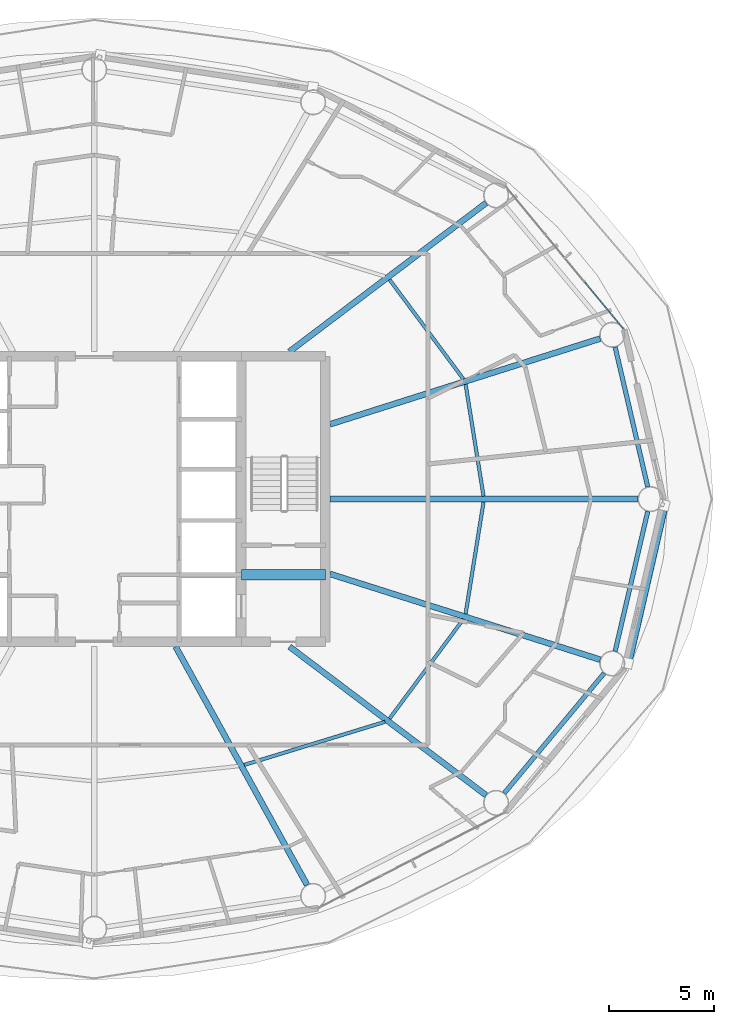
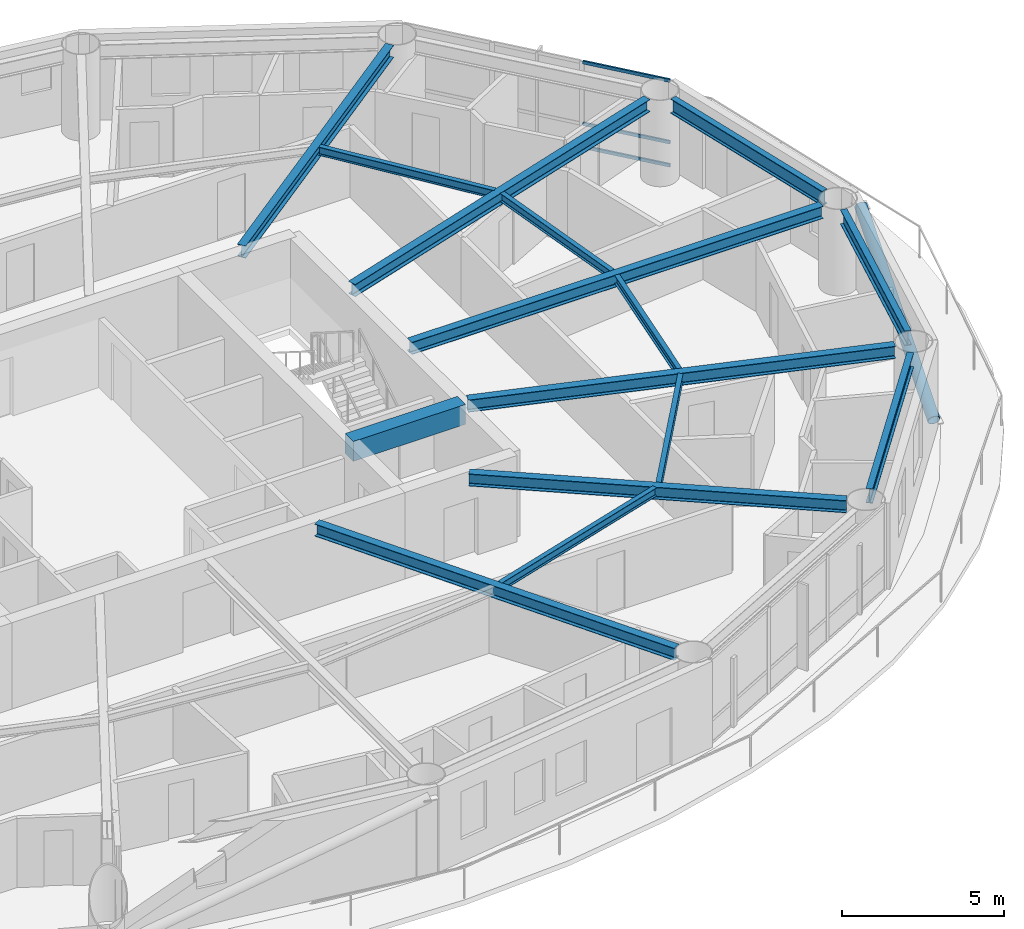
# One storey, part 6 of 28: 15 beams, 4 members, 1 element without a shape of its own.
"""IFC4 building model written with IfcOpenShell, lengths in metres."""

from ifc_helpers import new_model, si_unit, direction, frame, origin, origin_2d, place, context, subcontext, project, spatial, rectangle, hollow_rectangle, hollow_circle, i_section, extrude, material, layer, layer_set, material_profile, profile_set, type_object, element, aggregate, save


model = new_model("IFC4")

# Units and contexts
model_context = context("Model", 3, precision=1e-05, world=origin(), true_north=direction((0.0, 1.0)))
body_context = subcontext(model_context, "Body", "Model", "MODEL_VIEW")
ifc_project = project(units=[si_unit("LENGTHUNIT", "METRE"), si_unit("AREAUNIT", "SQUARE_METRE"), si_unit("VOLUMEUNIT", "CUBIC_METRE"), si_unit("PLANEANGLEUNIT", "RADIAN"), si_unit("MASSUNIT", "GRAM", prefix="KILO")], contexts=[model_context])

# Site, building, storey
site_placement = place(None, origin())
site = spatial("IfcSite", under=ifc_project, at=site_placement, CompositionType="ELEMENT")
building_placement = place(site_placement, origin())
building = spatial("IfcBuilding", under=site, at=building_placement, Name="Sarneth Arch Tower", CompositionType="ELEMENT")
storey_placement = place(building_placement, frame((0.0, 0.0, 197.39990234375)))
storey = spatial("IfcBuildingStorey", under=building, at=storey_placement, Name="L50", CompositionType="ELEMENT", Elevation=197.39990234375)

# Beams
ifc_material_1 = material(Name="Steel S355", Category="steel")
ifc_material_profile_1 = material_profile(ifc_material_1, i_section(OverallWidth=0.1669921875, OverallDepth=0.31689453125, WebThickness=0.007568359375, FlangeThickness=0.01318359375, FilletRadius=0.012939453125, at=origin_2d()), Name="W310x52")
ifc_profile_set_1 = profile_set([ifc_material_profile_1], Name="Steel S355")
beam_type_1 = type_object("IfcBeamType", Name="BM-JOIST-310B", PredefinedType="JOIST", material=ifc_profile_set_1)
beam_1_placement = place(storey_placement, frame((66.533935546875, 42.13818359375, 3.091552734375), z_axis=(-0.158348792374, 0.987383238643, 0.0), x_axis=(-0.987383238643, -0.158348792374, 0.0)))
element("IfcBeam", 1, at=beam_1_placement, inside=storey, type_object=beam_type_1, Name="L50 Secondary floor joist 01", PredefinedType="JOIST", context=body_context, shape_type="SweptSolid", body=[
    extrude(i_section(OverallWidth=0.1669921875, OverallDepth=0.31689453125, WebThickness=0.007568359375, FlangeThickness=0.01318359375, FilletRadius=0.012939453125, at=origin_2d()), origin(), (0.0, 0.0, 1.0), 5.394775390625),
])
beam_2_placement = place(storey_placement, frame((65.57421875, 47.715576171875, 3.091552734375), z_axis=(-0.596190586674, 0.802842938788, 0.0), x_axis=(-0.802842938788, -0.596190586674, 0.0)))
element("IfcBeam", 2, at=beam_2_placement, inside=storey, type_object=beam_type_1, Name="L50 Secondary floor joist 02", PredefinedType="JOIST", context=body_context, shape_type="SweptSolid", body=[
    extrude(i_section(OverallWidth=0.1669921875, OverallDepth=0.31689453125, WebThickness=0.007568359375, FlangeThickness=0.01318359375, FilletRadius=0.012939453125, at=origin_2d()), origin(), (0.0, 0.0, 1.0), 5.896484375),
])
beam_3_placement = place(storey_placement, frame((55.137451171875, 29.344482421875, 3.091552734375), z_axis=(0.956178669891, 0.292783796076, 0.0), x_axis=(-0.292783796076, 0.956178669891, 0.0)))
element("IfcBeam", 3, at=beam_3_placement, inside=storey, type_object=beam_type_1, Name="L50 Secondary floor joist 14", PredefinedType="JOIST", context=body_context, shape_type="SweptSolid", body=[
    extrude(i_section(OverallWidth=0.1669921875, OverallDepth=0.31689453125, WebThickness=0.007568359375, FlangeThickness=0.01318359375, FilletRadius=0.012939453125, at=origin_2d()), origin(), (0.0, 0.0, 1.0), 7.010986328125),
])
beam_4_placement = place(storey_placement, frame((62.058837890625, 31.550537109375, 3.091552734375), z_axis=(0.596190586674, 0.802842938788, 0.0), x_axis=(-0.802842938788, 0.596190586674, 0.0)))
element("IfcBeam", 4, at=beam_4_placement, inside=storey, type_object=beam_type_1, Name="L50 Secondary floor joist 15", PredefinedType="JOIST", context=body_context, shape_type="SweptSolid", body=[
    extrude(i_section(OverallWidth=0.1669921875, OverallDepth=0.31689453125, WebThickness=0.007568359375, FlangeThickness=0.01318359375, FilletRadius=0.012939453125, at=origin_2d()), origin(), (0.0, 0.0, 1.0), 5.896484375),
])
beam_5_placement = place(storey_placement, frame((65.6796875, 36.53515625, 3.091552734375), z_axis=(0.158348792374, 0.987383238643, 0.0), x_axis=(-0.987383238643, 0.158348792374, 0.0)))
element("IfcBeam", 5, at=beam_5_placement, inside=storey, type_object=beam_type_1, Name="L50 Secondary floor joist 16", PredefinedType="JOIST", context=body_context, shape_type="SweptSolid", body=[
    extrude(i_section(OverallWidth=0.1669921875, OverallDepth=0.31689453125, WebThickness=0.007568359375, FlangeThickness=0.01318359375, FilletRadius=0.012939453125, at=origin_2d()), origin(), (0.0, 0.0, 1.0), 5.394775390625),
])
ifc_material_2 = material(Name="Concrete C50/60", Category="concrete")
ifc_material_profile_2 = material_profile(ifc_material_2, rectangle(XDim=0.5, YDim=0.75, at=origin_2d()), Name="RC-500x750")
ifc_profile_set_2 = profile_set([ifc_material_profile_2], Name="Concrete C50/60")
beam_type_2 = type_object("IfcBeamType", Name="BM-LINTEL-RC", PredefinedType="LINTEL", material=ifc_profile_set_2)
beam_6_placement = place(storey_placement, frame((55.0, 38.39990234375, 2.875), z_axis=(1.0, 0.0, 0.0), x_axis=(0.0, 1.0, 0.0)))
element("IfcBeam", 6, at=beam_6_placement, inside=storey, type_object=beam_type_2, Name="L50 Core coupling lintel E", PredefinedType="LINTEL", context=body_context, shape_type="SweptSolid", body=[
    extrude(rectangle(XDim=0.5, YDim=0.75, at=origin_2d()), origin(), (0.0, 0.0, 1.0), 4.0),
])
ifc_material_3 = material(Name="Steel S355", Category="steel")
ifc_material_profile_3 = material_profile(ifc_material_3, i_section(OverallWidth=0.280029296875, OverallDepth=0.462890625, WebThickness=0.0107421875, FlangeThickness=0.017333984375, FilletRadius=0.01806640625, at=origin_2d()), Name="W460x113")
ifc_profile_set_3 = profile_set([ifc_material_profile_3], Name="Steel S355")
beam_type_3 = type_object("IfcBeamType", Name="BM-RAD-460A", PredefinedType="BEAM", material=ifc_profile_set_3)
beam_7_placement = place(storey_placement, frame((59.22509765625, 42.0, 3.0185546875), z_axis=(1.0, 0.0, 0.0), x_axis=(0.0, 1.0, 0.0)))
element("IfcBeam", 7, at=beam_7_placement, inside=storey, type_object=beam_type_3, Name="L50 Radial floor girder 01", PredefinedType="BEAM", context=body_context, shape_type="SweptSolid", body=[
    extrude(i_section(OverallWidth=0.280029296875, OverallDepth=0.462890625, WebThickness=0.0107421875, FlangeThickness=0.017333984375, FilletRadius=0.01806640625, at=origin_2d()), origin(), (0.0, 0.0, 1.0), 14.661865234375),
])
beam_8_placement = place(storey_placement, frame((59.22509765625, 45.56201171875, 3.0185546875), z_axis=(0.95316541071, 0.30244949963, 0.0), x_axis=(-0.30244949963, 0.95316541071, 0.0)))
element("IfcBeam", 8, at=beam_8_placement, inside=storey, type_object=beam_type_3, Name="L50 Radial floor girder 02", PredefinedType="BEAM", context=body_context, shape_type="SweptSolid", body=[
    extrude(i_section(OverallWidth=0.280029296875, OverallDepth=0.462890625, WebThickness=0.0107421875, FlangeThickness=0.017333984375, FilletRadius=0.01806640625, at=origin_2d()), origin(), (0.0, 0.0, 1.0), 13.497314453125),
])
beam_9_placement = place(storey_placement, frame((57.29541015625, 49.02490234375, 3.0185546875), z_axis=(0.797784574467, 0.602942594898, 0.0), x_axis=(-0.602942594898, 0.797784574467, 0.0)))
element("IfcBeam", 9, at=beam_9_placement, inside=storey, type_object=beam_type_3, Name="L50 Radial floor girder 03", PredefinedType="BEAM", context=body_context, shape_type="SweptSolid", body=[
    extrude(i_section(OverallWidth=0.280029296875, OverallDepth=0.462890625, WebThickness=0.0107421875, FlangeThickness=0.017333984375, FilletRadius=0.01806640625, at=origin_2d()), origin(), (0.0, 0.0, 1.0), 11.73193359375),
])
beam_10_placement = place(storey_placement, frame((51.875, 34.97509765625, 3.0185546875), z_axis=(0.483010082599, -0.875614789795, 0.0), x_axis=(0.875614789795, 0.483010082599, 0.0)))
element("IfcBeam", 10, at=beam_10_placement, inside=storey, type_object=beam_type_3, Name="L50 Radial floor girder 14", PredefinedType="BEAM", context=body_context, shape_type="SweptSolid", body=[
    extrude(i_section(OverallWidth=0.280029296875, OverallDepth=0.462890625, WebThickness=0.0107421875, FlangeThickness=0.017333984375, FilletRadius=0.01806640625, at=origin_2d()), origin(), (0.0, 0.0, 1.0), 12.954345703125),
])
beam_11_placement = place(storey_placement, frame((57.29541015625, 34.97509765625, 3.0185546875), z_axis=(0.797784574467, -0.602942594898, 0.0), x_axis=(0.602942594898, 0.797784574467, 0.0)))
element("IfcBeam", 11, at=beam_11_placement, inside=storey, type_object=beam_type_3, Name="L50 Radial floor girder 15", PredefinedType="BEAM", context=body_context, shape_type="SweptSolid", body=[
    extrude(i_section(OverallWidth=0.280029296875, OverallDepth=0.462890625, WebThickness=0.0107421875, FlangeThickness=0.017333984375, FilletRadius=0.01806640625, at=origin_2d()), origin(), (0.0, 0.0, 1.0), 11.73193359375),
])
beam_12_placement = place(storey_placement, frame((59.22509765625, 38.43798828125, 3.0185546875), z_axis=(0.95316541071, -0.30244949963, 0.0), x_axis=(0.30244949963, 0.95316541071, 0.0)))
element("IfcBeam", 12, at=beam_12_placement, inside=storey, type_object=beam_type_3, Name="L50 Radial floor girder 16", PredefinedType="BEAM", context=body_context, shape_type="SweptSolid", body=[
    extrude(i_section(OverallWidth=0.280029296875, OverallDepth=0.462890625, WebThickness=0.0107421875, FlangeThickness=0.017333984375, FilletRadius=0.01806640625, at=origin_2d()), origin(), (0.0, 0.0, 1.0), 13.497314453125),
])
ifc_material_4 = material(Name="Steel S355", Category="steel")
ifc_material_profile_4 = material_profile(ifc_material_4, i_section(OverallWidth=0.214111328125, OverallDepth=0.549072265625, WebThickness=0.0146484375, FlangeThickness=0.023681640625, FilletRadius=0.01806640625, at=origin_2d()), Name="W530x138")
ifc_profile_set_4 = profile_set([ifc_material_profile_4], Name="Steel S355")
beam_type_4 = type_object("IfcBeamType", Name="BM-RAD-530A", PredefinedType="BEAM", material=ifc_profile_set_4)
beam_13_placement = place(storey_placement, frame((74.350830078125, 42.584228515625, 2.9755859375), z_axis=(-0.227109937572, 0.973869126863, 0.0), x_axis=(-0.973869126863, -0.227109937572, 0.0)))
element("IfcBeam", 13, at=beam_13_placement, inside=storey, type_object=beam_type_4, Name="L50 Perimeter spandrel beam 01", PredefinedType="BEAM", context=body_context, shape_type="SweptSolid", body=[
    extrude(i_section(OverallWidth=0.214111328125, OverallDepth=0.549072265625, WebThickness=0.0146484375, FlangeThickness=0.023681640625, FilletRadius=0.01806640625, at=origin_2d()), origin(), (0.0, 0.0, 1.0), 6.8359375),
])
beam_14_placement = place(storey_placement, frame((67.517822265625, 28.00048828125, 2.9755859375), z_axis=(0.640161793626, 0.768240117399, 0.0), x_axis=(-0.768240117399, 0.640161793626, 0.0)))
element("IfcBeam", 14, at=beam_14_placement, inside=storey, type_object=beam_type_4, Name="L50 Perimeter spandrel beam 15", PredefinedType="BEAM", context=body_context, shape_type="SweptSolid", body=[
    extrude(i_section(OverallWidth=0.214111328125, OverallDepth=0.549072265625, WebThickness=0.0146484375, FlangeThickness=0.023681640625, FilletRadius=0.01806640625, at=origin_2d()), origin(), (0.0, 0.0, 1.0), 7.43603515625),
])
beam_15_placement = place(storey_placement, frame((72.79833984375, 34.758544921875, 2.9755859375), z_axis=(0.227109937572, 0.973869126863, 0.0), x_axis=(-0.973869126863, 0.227109937572, 0.0)))
element("IfcBeam", 15, at=beam_15_placement, inside=storey, type_object=beam_type_4, Name="L50 Perimeter spandrel beam 16", PredefinedType="BEAM", context=body_context, shape_type="SweptSolid", body=[
    extrude(i_section(OverallWidth=0.214111328125, OverallDepth=0.549072265625, WebThickness=0.0146484375, FlangeThickness=0.023681640625, FilletRadius=0.01806640625, at=origin_2d()), origin(), (0.0, 0.0, 1.0), 6.8359375),
])

# Curtain wall, members
ifc_material_5 = material(Name="Anodised aluminium Type AA25 and solar-control low-e laminated IGU", Category="aluminium")
ifc_layer = layer(ifc_material_5, 0.169921875)
ifc_layer_set = layer_set([ifc_layer], Name="Anodised aluminium Type AA25 and solar-control low-e laminated IGU")
curtain_wall_type = type_object("IfcCurtainWallType", Name="CW-RES-MID", PredefinedType="NOTDEFINED", material=ifc_layer_set)
curtain_wall_placement = place(storey_placement, origin())
curtain_wall = element("IfcCurtainWall", 16, at=curtain_wall_placement, inside=storey, type_object=curtain_wall_type, Name="L50 Unitised curtain wall facet 02", PredefinedType="NOTDEFINED")
ifc_material_6 = material(Name="Anodised Aluminium 6063-T6", Category="aluminium")
ifc_material_profile_5 = material_profile(ifc_material_6, hollow_rectangle(XDim=0.06005859375, YDim=0.1201171875, WallThickness=0.00390625, at=origin_2d()), Name="AL-TRAN-120x60x4")
ifc_profile_set_5 = profile_set([ifc_material_profile_5], Name="Anodised Aluminium 6063-T6")
member_type_1 = type_object("IfcMemberType", Name="CW-TRANSOM", PredefinedType="USERDEFINED", material=ifc_profile_set_5)
member_1_placement = place(storey_placement, frame((73.194091796875, 50.11328125, 0.030029296875), z_axis=(-0.637358651504, 0.770567290607, 0.0), x_axis=(-0.770567290607, -0.637358651504, 0.0)))
member_1 = element("IfcMember", 17, at=member_1_placement, type_object=member_type_1, Name="CW-SYS-5 transom 1.1", ObjectType="TRANSOM", PredefinedType="USERDEFINED", context=body_context, shape_type="SweptSolid", body=[
    extrude(hollow_rectangle(XDim=0.06005859375, YDim=0.1201171875, WallThickness=0.00390625, at=origin_2d()), origin(), (0.0, 0.0, 1.0), 2.8681640625),
])
member_2_placement = place(storey_placement, frame((73.194091796875, 50.11328125, 0.900146484375), z_axis=(-0.637358651504, 0.770567290607, 0.0), x_axis=(-0.770567290607, -0.637358651504, 0.0)))
member_2 = element("IfcMember", 18, at=member_2_placement, type_object=member_type_1, Name="CW-SYS-5 transom 1.2", ObjectType="TRANSOM", PredefinedType="USERDEFINED", context=body_context, shape_type="SweptSolid", body=[
    extrude(hollow_rectangle(XDim=0.06005859375, YDim=0.1201171875, WallThickness=0.00390625, at=origin_2d()), origin(), (0.0, 0.0, 1.0), 2.8681640625),
])
member_3_placement = place(storey_placement, frame((73.194091796875, 50.11328125, 3.22021484375), z_axis=(-0.637358651504, 0.770567290607, 0.0), x_axis=(-0.770567290607, -0.637358651504, 0.0)))
member_3 = element("IfcMember", 19, at=member_3_placement, type_object=member_type_1, Name="CW-SYS-5 transom 1.3", ObjectType="TRANSOM", PredefinedType="USERDEFINED", context=body_context, shape_type="SweptSolid", body=[
    extrude(hollow_rectangle(XDim=0.06005859375, YDim=0.1201171875, WallThickness=0.00390625, at=origin_2d()), origin(), (0.0, 0.0, 1.0), 2.8681640625),
])
aggregate(curtain_wall, [member_1, member_2, member_3])

# Member
ifc_material_7 = material(Name="Steel S355", Category="steel")
ifc_material_profile_6 = material_profile(ifc_material_7, hollow_circle(Radius=0.202880859375, WallThickness=0.01611328125, at=origin_2d()), Name="CHS406x16")
ifc_profile_set_6 = profile_set([ifc_material_profile_6], Name="Steel S355")
member_type_2 = type_object("IfcMemberType", Name="MEM-DIAG-BR2", PredefinedType="BRACE", material=ifc_profile_set_6)
member_4_placement = place(storey_placement, frame((73.390380859375, 34.18701171875, 0.02001953125), z_axis=(0.210830484731, 0.912039472284, 0.351759161507), x_axis=(-0.974306903917, 0.225224459107, 0.0)))
element("IfcMember", 20, at=member_4_placement, inside=storey, type_object=member_type_2, Name="L50 Perimeter frame diagonal 16", PredefinedType="BRACE", context=body_context, shape_type="SweptSolid", body=[
    extrude(hollow_circle(Radius=0.202880859375, WallThickness=0.01611328125, at=origin_2d()), origin(), (0.0, 0.0, 1.0), 8.24609375),
])

save(model, "model.ifc")
